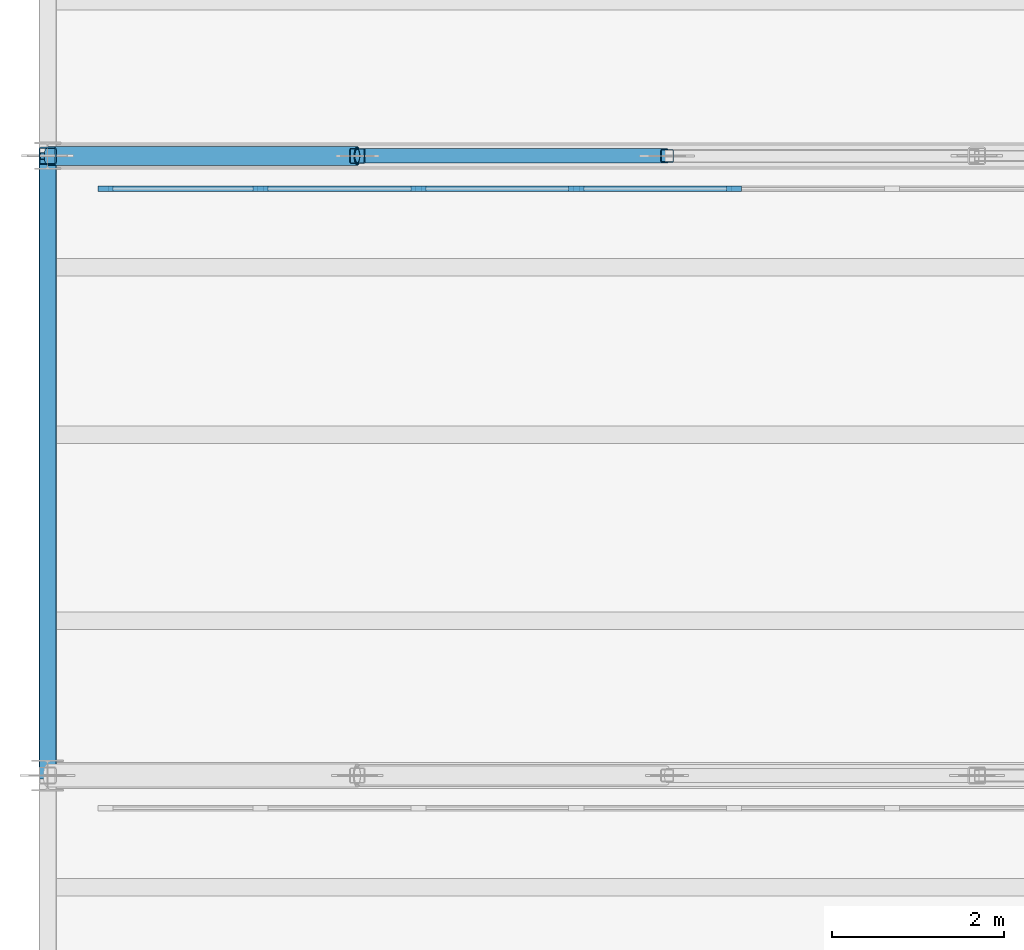
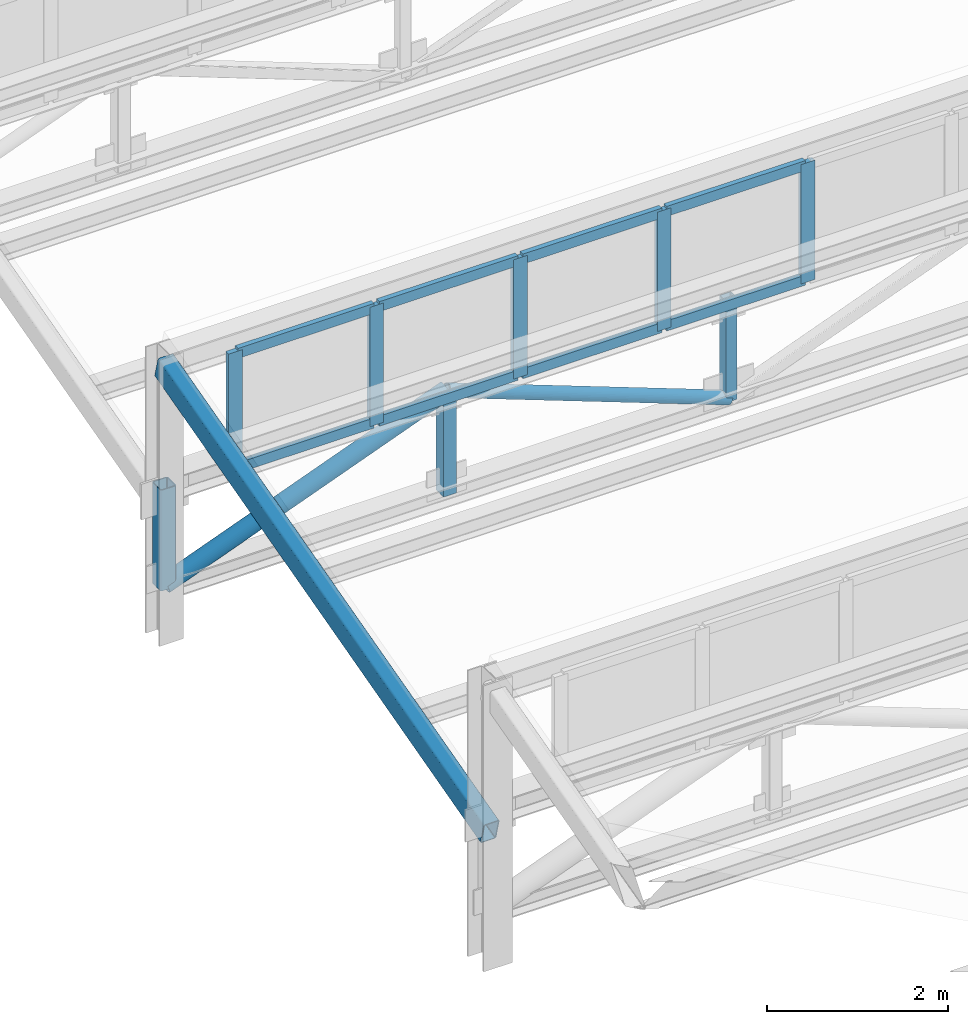
# One storey, part 13 of 98: 18 members, 1 beam, 1 element without a shape of its own.
"""IFC4 building model written with IfcOpenShell, lengths in metres."""

from ifc_helpers import new_model, si_unit, direction, frame, origin, origin_2d, place, context, subcontext, project, spatial, rectangle, hollow_rectangle, hollow_circle, extrude, material, layer, layer_set, material_profile, profile_set, type_object, element, aggregate, save


model = new_model("IFC4")

# Units and contexts
model_context = context("Model", 3, precision=1e-05, world=origin(), true_north=direction((0.0, 1.0)))
body_context = subcontext(model_context, "Body", "Model", "MODEL_VIEW")
ifc_project = project(units=[si_unit("LENGTHUNIT", "METRE"), si_unit("AREAUNIT", "SQUARE_METRE"), si_unit("VOLUMEUNIT", "CUBIC_METRE"), si_unit("PLANEANGLEUNIT", "RADIAN"), si_unit("MASSUNIT", "GRAM", prefix="KILO")], contexts=[model_context])

# Site, building, storey
site_placement = place(None, origin())
site = spatial("IfcSite", under=ifc_project, at=site_placement, CompositionType="ELEMENT")
building_placement = place(site_placement, origin())
building = spatial("IfcBuilding", under=site, at=building_placement, Name="Solenvale Faculty of Natural Sciences", CompositionType="ELEMENT")
storey_placement = place(building_placement, frame((0.0, 0.0, 9.0)))
storey = spatial("IfcBuildingStorey", under=building, at=storey_placement, Name="L02", CompositionType="ELEMENT", Elevation=9.0)

# Beam
ifc_material_1 = material(Name="Steel S355", Category="steel")
ifc_material_profile_1 = material_profile(ifc_material_1, hollow_rectangle(XDim=0.202880859375, YDim=0.304931640625, WallThickness=0.0126953125, InnerFilletRadius=0.0126953125, OuterFilletRadius=0.025390625, at=origin_2d()), Name="HSS305x203x13")
ifc_profile_set_1 = profile_set([ifc_material_profile_1], Name="Steel S355")
beam_type = type_object("IfcBeamType", Name="BM-RAF-HSS305", PredefinedType="BEAM", material=ifc_profile_set_1)
beam_placement = place(storey_placement, frame((0.0, 14.39990234375, 1.719970703125), z_axis=(0.0, 0.965904187204, 0.258899789768), x_axis=(-1.0, 0.0, 0.0)))
element("IfcBeam", 1, at=beam_placement, inside=storey, type_object=beam_type, Name="V1 Sawtooth End Rafter 3.1.W", PredefinedType="BEAM", context=body_context, shape_type="SweptSolid", body=[
    extrude(hollow_rectangle(XDim=0.202880859375, YDim=0.304931640625, WallThickness=0.0126953125, InnerFilletRadius=0.0126953125, OuterFilletRadius=0.025390625, at=origin_2d()), origin(), (0.0, 0.0, 1.0), 7.454345703125),
])

# Curtain wall, members
ifc_material_2 = material(Name="Anodised bronze aluminium", Category="aluminium")
ifc_layer = layer(ifc_material_2, 0.1650390625)
ifc_layer_set = layer_set([ifc_layer], Name="Anodised bronze aluminium")
curtain_wall_type = type_object("IfcCurtainWallType", Name="CW-SAW-CLR", PredefinedType="USERDEFINED", material=ifc_layer_set)
curtain_wall_placement = place(storey_placement, origin())
curtain_wall = element("IfcCurtainWall", 2, at=curtain_wall_placement, inside=storey, type_object=curtain_wall_type, Name="L02 Curtain Wall SAW-V1-CW-3-1", ObjectType="NORTH LIGHT CLERESTORY", PredefinedType="USERDEFINED")
ifc_material_profile_2 = material_profile(ifc_material_2, rectangle(XDim=0.06494140625, YDim=0.175048828125, at=origin_2d()), Name="ALU-MUL-65x175")
ifc_profile_set_2 = profile_set([ifc_material_profile_2], Name="Anodised bronze aluminium")
member_type_1 = type_object("IfcMemberType", Name="CWM-ALU-65x175", PredefinedType="MULLION", material=ifc_profile_set_2)
member_1_placement = place(storey_placement, frame((7.978759765625, 21.219970703125, 2.22998046875), z_axis=(0.0, 0.0, 1.0), x_axis=(0.0, -1.0, 0.0)))
member_1 = element("IfcMember", 3, at=member_1_placement, type_object=member_type_1, Name="CW-05 mullion 12", PredefinedType="MULLION", context=body_context, shape_type="SweptSolid", body=[
    extrude(rectangle(XDim=0.06494140625, YDim=0.175048828125, at=origin_2d()), origin(), (0.0, 0.0, 1.0), 1.610107421875),
])
member_2_placement = place(storey_placement, frame((6.14404296875, 21.219970703125, 2.22998046875), z_axis=(0.0, 0.0, 1.0), x_axis=(0.0, -1.0, 0.0)))
member_2 = element("IfcMember", 4, at=member_2_placement, type_object=member_type_1, Name="CW-05 mullion 13", PredefinedType="MULLION", context=body_context, shape_type="SweptSolid", body=[
    extrude(rectangle(XDim=0.06494140625, YDim=0.175048828125, at=origin_2d()), origin(), (0.0, 0.0, 1.0), 1.610107421875),
])
member_3_placement = place(storey_placement, frame((4.309326171875, 21.219970703125, 2.22998046875), z_axis=(0.0, 0.0, 1.0), x_axis=(0.0, -1.0, 0.0)))
member_3 = element("IfcMember", 5, at=member_3_placement, type_object=member_type_1, Name="CW-05 mullion 14", PredefinedType="MULLION", context=body_context, shape_type="SweptSolid", body=[
    extrude(rectangle(XDim=0.06494140625, YDim=0.175048828125, at=origin_2d()), origin(), (0.0, 0.0, 1.0), 1.610107421875),
])
member_4_placement = place(storey_placement, frame((2.474609375, 21.219970703125, 2.22998046875), z_axis=(0.0, 0.0, 1.0), x_axis=(0.0, -1.0, 0.0)))
member_4 = element("IfcMember", 6, at=member_4_placement, type_object=member_type_1, Name="CW-05 mullion 15", PredefinedType="MULLION", context=body_context, shape_type="SweptSolid", body=[
    extrude(rectangle(XDim=0.06494140625, YDim=0.175048828125, at=origin_2d()), origin(), (0.0, 0.0, 1.0), 1.610107421875),
])
member_5_placement = place(storey_placement, frame((0.672607421875, 21.219970703125, 2.22998046875), z_axis=(0.0, 0.0, 1.0), x_axis=(0.0, -1.0, 0.0)))
member_5 = element("IfcMember", 7, at=member_5_placement, type_object=member_type_1, Name="CW-05 mullion 16", PredefinedType="MULLION", context=body_context, shape_type="SweptSolid", body=[
    extrude(rectangle(XDim=0.06494140625, YDim=0.175048828125, at=origin_2d()), origin(), (0.0, 0.0, 1.0), 1.610107421875),
])
ifc_material_profile_3 = material_profile(ifc_material_2, rectangle(XDim=0.06494140625, YDim=0.135009765625, at=origin_2d()), Name="ALU-TRN-65x135")
ifc_profile_set_3 = profile_set([ifc_material_profile_3], Name="Anodised bronze aluminium")
member_type_2 = type_object("IfcMemberType", Name="CWT-ALU-65x135", PredefinedType="USERDEFINED", material=ifc_profile_set_3)
member_6_placement = place(storey_placement, frame((7.946044921875, 21.219970703125, 2.262451171875), z_axis=(-1.0, 0.0, 0.0), x_axis=(0.0, -1.0, 0.0)))
member_6 = element("IfcMember", 8, at=member_6_placement, type_object=member_type_2, Name="CW-05 transom 12.1", ObjectType="TRANSOM", PredefinedType="USERDEFINED", context=body_context, shape_type="SweptSolid", body=[
    extrude(rectangle(XDim=0.06494140625, YDim=0.135009765625, at=origin_2d()), origin(), (0.0, 0.0, 1.0), 1.76953125),
])
member_7_placement = place(storey_placement, frame((7.946044921875, 21.219970703125, 3.8076171875), z_axis=(-1.0, 0.0, 0.0), x_axis=(0.0, -1.0, 0.0)))
member_7 = element("IfcMember", 9, at=member_7_placement, type_object=member_type_2, Name="CW-05 transom 12.2", ObjectType="TRANSOM", PredefinedType="USERDEFINED", context=body_context, shape_type="SweptSolid", body=[
    extrude(rectangle(XDim=0.06494140625, YDim=0.135009765625, at=origin_2d()), origin(), (0.0, 0.0, 1.0), 1.76953125),
])
member_8_placement = place(storey_placement, frame((6.111572265625, 21.219970703125, 2.262451171875), z_axis=(-1.0, 0.0, 0.0), x_axis=(0.0, -1.0, 0.0)))
member_8 = element("IfcMember", 10, at=member_8_placement, type_object=member_type_2, Name="CW-05 transom 13.1", ObjectType="TRANSOM", PredefinedType="USERDEFINED", context=body_context, shape_type="SweptSolid", body=[
    extrude(rectangle(XDim=0.06494140625, YDim=0.135009765625, at=origin_2d()), origin(), (0.0, 0.0, 1.0), 1.769775390625),
])
member_9_placement = place(storey_placement, frame((6.111572265625, 21.219970703125, 3.8076171875), z_axis=(-1.0, 0.0, 0.0), x_axis=(0.0, -1.0, 0.0)))
member_9 = element("IfcMember", 11, at=member_9_placement, type_object=member_type_2, Name="CW-05 transom 13.2", ObjectType="TRANSOM", PredefinedType="USERDEFINED", context=body_context, shape_type="SweptSolid", body=[
    extrude(rectangle(XDim=0.06494140625, YDim=0.135009765625, at=origin_2d()), origin(), (0.0, 0.0, 1.0), 1.769775390625),
])
member_10_placement = place(storey_placement, frame((4.27685546875, 21.219970703125, 2.262451171875), z_axis=(-1.0, 0.0, 0.0), x_axis=(0.0, -1.0, 0.0)))
member_10 = element("IfcMember", 12, at=member_10_placement, type_object=member_type_2, Name="CW-05 transom 14.1", ObjectType="TRANSOM", PredefinedType="USERDEFINED", context=body_context, shape_type="SweptSolid", body=[
    extrude(rectangle(XDim=0.06494140625, YDim=0.135009765625, at=origin_2d()), origin(), (0.0, 0.0, 1.0), 1.769775390625),
])
member_11_placement = place(storey_placement, frame((4.27685546875, 21.219970703125, 3.8076171875), z_axis=(-1.0, 0.0, 0.0), x_axis=(0.0, -1.0, 0.0)))
member_11 = element("IfcMember", 13, at=member_11_placement, type_object=member_type_2, Name="CW-05 transom 14.2", ObjectType="TRANSOM", PredefinedType="USERDEFINED", context=body_context, shape_type="SweptSolid", body=[
    extrude(rectangle(XDim=0.06494140625, YDim=0.135009765625, at=origin_2d()), origin(), (0.0, 0.0, 1.0), 1.769775390625),
])
member_12_placement = place(storey_placement, frame((2.442138671875, 21.219970703125, 2.262451171875), z_axis=(-1.0, 0.0, 0.0), x_axis=(0.0, -1.0, 0.0)))
member_12 = element("IfcMember", 14, at=member_12_placement, type_object=member_type_2, Name="CW-05 transom 15.1", ObjectType="TRANSOM", PredefinedType="USERDEFINED", context=body_context, shape_type="SweptSolid", body=[
    extrude(rectangle(XDim=0.06494140625, YDim=0.135009765625, at=origin_2d()), origin(), (0.0, 0.0, 1.0), 1.737060546875),
])
member_13_placement = place(storey_placement, frame((2.442138671875, 21.219970703125, 3.8076171875), z_axis=(-1.0, 0.0, 0.0), x_axis=(0.0, -1.0, 0.0)))
member_13 = element("IfcMember", 15, at=member_13_placement, type_object=member_type_2, Name="CW-05 transom 15.2", ObjectType="TRANSOM", PredefinedType="USERDEFINED", context=body_context, shape_type="SweptSolid", body=[
    extrude(rectangle(XDim=0.06494140625, YDim=0.135009765625, at=origin_2d()), origin(), (0.0, 0.0, 1.0), 1.737060546875),
])
aggregate(curtain_wall, [member_1, member_2, member_3, member_4, member_5, member_6, member_7, member_8, member_9, member_10, member_11, member_12, member_13])

# Members
ifc_material_profile_4 = material_profile(ifc_material_1, hollow_circle(Radius=0.084228515625, WallThickness=0.008056640625, at=origin_2d()), Name="HSS168x8.0")
ifc_profile_set_4 = profile_set([ifc_material_profile_4], Name="Steel S355")
member_type_3 = type_object("IfcMemberType", Name="MB-BRC-CHS168", PredefinedType="BRACE", material=ifc_profile_set_4)
member_14_placement = place(storey_placement, frame((3.60009765625, 21.60009765625, 2.050048828125), z_axis=(0.935458110384, 0.0, -0.353437581075), x_axis=(0.0, 1.0, 0.0)))
element("IfcMember", 16, at=member_14_placement, inside=storey, type_object=member_type_3, Name="V1 Truss 3.1 Diagonal 2", PredefinedType="BRACE", context=body_context, shape_type="SweptSolid", body=[
    extrude(hollow_circle(Radius=0.084228515625, WallThickness=0.008056640625, at=origin_2d()), origin(), (0.0, 0.0, 1.0), 3.84814453125),
])
ifc_material_profile_5 = material_profile(ifc_material_1, hollow_circle(Radius=0.109619140625, WallThickness=0.009521484375, at=origin_2d()), Name="HSS219x9.5")
ifc_profile_set_5 = profile_set([ifc_material_profile_5], Name="Steel S355")
member_type_4 = type_object("IfcMemberType", Name="MB-BRC-CHS219", PredefinedType="BRACE", material=ifc_profile_set_5)
member_15_placement = place(storey_placement, frame((0.0, 21.60009765625, 0.68994140625), z_axis=(0.935466034784, 0.0, 0.353416606522), x_axis=(0.0, 1.0, 0.0)))
element("IfcMember", 17, at=member_15_placement, inside=storey, type_object=member_type_4, Name="V1 Truss 3.1 Diagonal 1", PredefinedType="BRACE", context=body_context, shape_type="SweptSolid", body=[
    extrude(hollow_circle(Radius=0.109619140625, WallThickness=0.009521484375, at=origin_2d()), origin(), (0.0, 0.0, 1.0), 3.848388671875),
])
ifc_material_profile_6 = material_profile(ifc_material_1, hollow_rectangle(XDim=0.152099609375, YDim=0.152099609375, WallThickness=0.009521484375, InnerFilletRadius=0.009521484375, OuterFilletRadius=0.01904296875, at=origin_2d()), Name="HSS152x152x9.5")
ifc_profile_set_6 = profile_set([ifc_material_profile_6], Name="Steel S355")
member_type_5 = type_object("IfcMemberType", Name="MB-STR-HSS152", PredefinedType="STRUT", material=ifc_profile_set_6)
member_16_placement = place(storey_placement, frame((7.199951171875, 21.60009765625, 0.68994140625), z_axis=(0.0, 0.0, 1.0), x_axis=(1.0, 0.0, 0.0)))
element("IfcMember", 18, at=member_16_placement, inside=storey, type_object=member_type_5, Name="V1 Truss 3.1 Strut 2", PredefinedType="STRUT", context=body_context, shape_type="SweptSolid", body=[
    extrude(hollow_rectangle(XDim=0.152099609375, YDim=0.152099609375, WallThickness=0.009521484375, InnerFilletRadius=0.009521484375, OuterFilletRadius=0.01904296875, at=origin_2d()), origin(), (0.0, 0.0, 1.0), 1.360107421875),
])
ifc_material_profile_7 = material_profile(ifc_material_1, hollow_rectangle(XDim=0.177978515625, YDim=0.177978515625, WallThickness=0.009521484375, InnerFilletRadius=0.009521484375, OuterFilletRadius=0.01904296875, at=origin_2d()), Name="HSS178x178x9.5")
ifc_profile_set_7 = profile_set([ifc_material_profile_7], Name="Steel S355")
member_type_6 = type_object("IfcMemberType", Name="MB-STR-HSS178", PredefinedType="STRUT", material=ifc_profile_set_7)
member_17_placement = place(storey_placement, frame((3.60009765625, 21.60009765625, 0.68994140625), z_axis=(0.0, 0.0, 1.0), x_axis=(1.0, 0.0, 0.0)))
element("IfcMember", 19, at=member_17_placement, inside=storey, type_object=member_type_6, Name="V1 Truss 3.1 Strut 1", PredefinedType="STRUT", context=body_context, shape_type="SweptSolid", body=[
    extrude(hollow_rectangle(XDim=0.177978515625, YDim=0.177978515625, WallThickness=0.009521484375, InnerFilletRadius=0.009521484375, OuterFilletRadius=0.01904296875, at=origin_2d()), origin(), (0.0, 0.0, 1.0), 1.360107421875),
])
ifc_material_profile_8 = material_profile(ifc_material_1, hollow_rectangle(XDim=0.202880859375, YDim=0.202880859375, WallThickness=0.0126953125, InnerFilletRadius=0.0126953125, OuterFilletRadius=0.025390625, at=origin_2d()), Name="HSS203x203x13")
ifc_profile_set_8 = profile_set([ifc_material_profile_8], Name="Steel S355")
member_type_7 = type_object("IfcMemberType", Name="MB-STR-HSS203", PredefinedType="STRUT", material=ifc_profile_set_8)
member_18_placement = place(storey_placement, frame((0.0, 21.60009765625, 0.68994140625), z_axis=(0.0, 0.0, 1.0), x_axis=(1.0, 0.0, 0.0)))
element("IfcMember", 20, at=member_18_placement, inside=storey, type_object=member_type_7, Name="V1 Truss 3.1 Strut 0", PredefinedType="STRUT", context=body_context, shape_type="SweptSolid", body=[
    extrude(hollow_rectangle(XDim=0.202880859375, YDim=0.202880859375, WallThickness=0.0126953125, InnerFilletRadius=0.0126953125, OuterFilletRadius=0.025390625, at=origin_2d()), origin(), (0.0, 0.0, 1.0), 1.360107421875),
])

save(model, "model.ifc")
